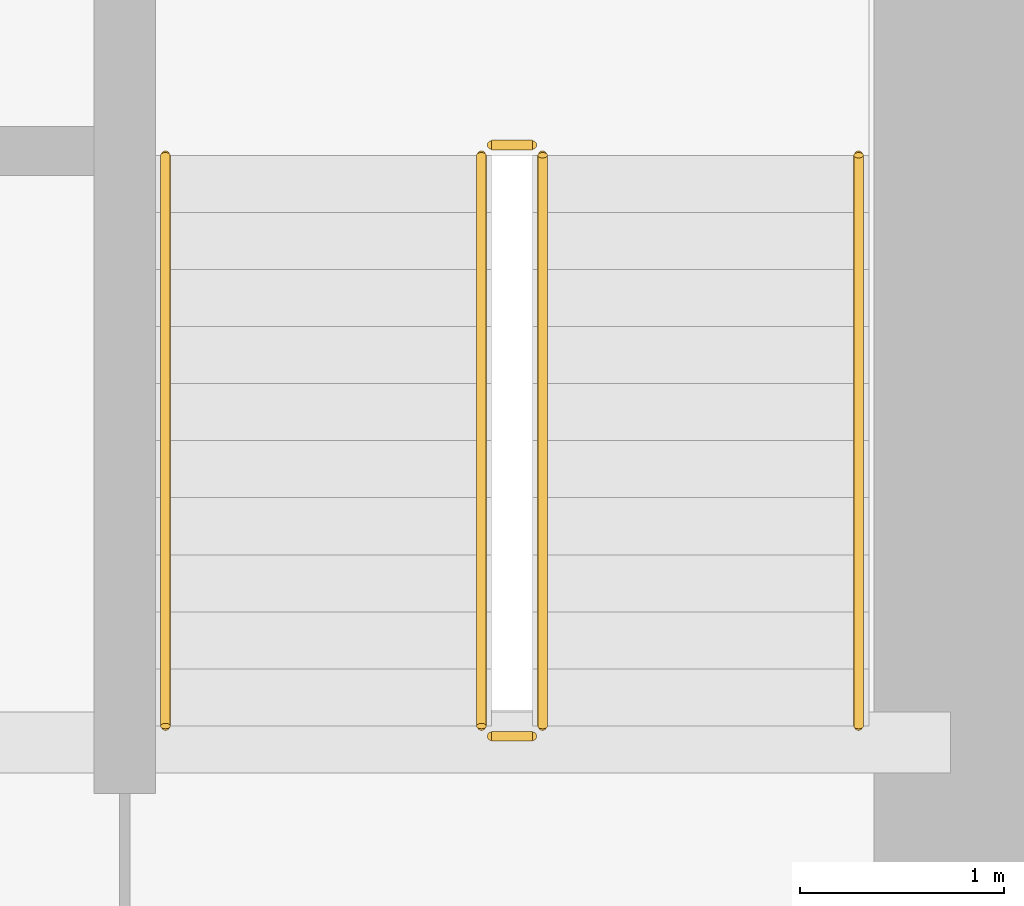
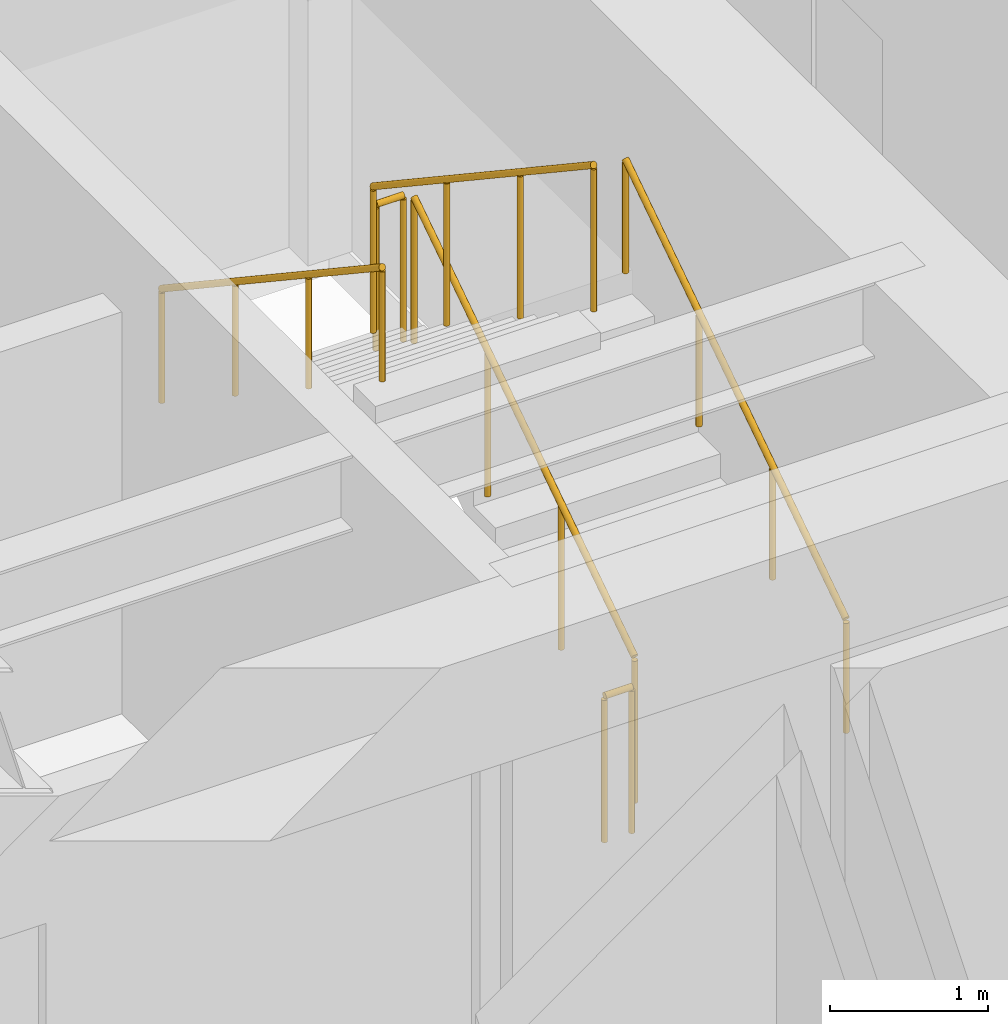
# One storey, part 35 of 35: 6 railings.
"""IFC4 building model written with IfcOpenShell, lengths in metres."""

import ifcopenshell
import ifcopenshell.guid

model = None  # the IFC model being written
_history = None  # IfcOwnerHistory: only IFC2X3 demands one
_inside = {}  # id of a spatial element -> (the spatial element, [elements in it])
_under = {}  # id of a project, library or spatial element -> (it, [spatial elements below it])
_declared = {}  # id of a project -> (the project, [libraries it declares])
_typed = {}  # id of a type object -> (the type object, [elements of that type])
_made_of = {}  # id of a material, layer set ... -> (it, [elements and type objects made of it])


def new_model(schema):
    """Start an empty IFC model of exactly this schema.

    Asked for "IFC4X3", IfcOpenShell would pick the latest addendum, in which some entities
    have other attributes; the version numbers below select the first issue.
    IFC2X3 requires an IfcOwnerHistory on every rooted entity: one is made here for all.
    """
    global model, _history
    if schema == "IFC4X3":
        model = ifcopenshell.file(schema_version=(4, 3, 0, 0))
    else:
        model = ifcopenshell.file(schema=schema)
    _inside.clear()
    _under.clear()
    _declared.clear()
    _typed.clear()
    _made_of.clear()
    _history = None
    if model.schema == "IFC2X3":
        org = make("IfcOrganization", Name="unknown")
        user = make(
            "IfcPersonAndOrganization",
            ThePerson=make("IfcPerson", FamilyName="unknown"),
            TheOrganization=org,
        )
        app = make(
            "IfcApplication",
            ApplicationDeveloper=org,
            Version="unknown",
            ApplicationFullName="unknown",
            ApplicationIdentifier="unknown",
        )
        _history = make(
            "IfcOwnerHistory",
            OwningUser=user,
            OwningApplication=app,
            ChangeAction="ADDED",
            CreationDate=0,
        )
    return model


def make(cls, **values):
    """One entity of the class cls with the attributes given. An attribute that is None is left unset."""
    return model.create_entity(
        cls, **{name: value for name, value in values.items() if value is not None}
    )


def rooted(cls, **values):
    """An entity with a GlobalId (a new one), such as an element, a storey or a relation."""
    return make(cls, GlobalId=ifcopenshell.guid.new(), OwnerHistory=_history, **values)


def si_unit(unit_type, name, prefix=None):
    """IfcSIUnit, for example si_unit("LENGTHUNIT", "METRE", prefix="MILLI")."""
    return make("IfcSIUnit", UnitType=unit_type, Prefix=prefix, Name=name)


def assignment(units):
    """IfcUnitAssignment: the units of a project."""
    return None if units is None else make("IfcUnitAssignment", Units=units)


def point(xyz):
    """IfcCartesianPoint."""
    return None if xyz is None else make("IfcCartesianPoint", Coordinates=xyz)


def direction(xyz):
    """IfcDirection."""
    return None if xyz is None else make("IfcDirection", DirectionRatios=xyz)


def frame(location, z_axis=None, x_axis=None):
    """IfcAxis2Placement3D, a coordinate frame: its origin and axes. An axis left out is left unset."""
    return make(
        "IfcAxis2Placement3D",
        Location=point(location),
        Axis=direction(z_axis),
        RefDirection=direction(x_axis),
    )


def frame_2d(location, x_axis=None):
    """IfcAxis2Placement2D, a coordinate frame in the plane: its origin and x axis."""
    return make(
        "IfcAxis2Placement2D", Location=point(location), RefDirection=direction(x_axis)
    )


def origin():
    """The frame at (0, 0, 0) with its axes left unset."""
    return frame((0.0, 0.0, 0.0))


def origin_2d():
    """The frame at (0, 0) in the plane with its x axis left unset."""
    return frame_2d((0.0, 0.0))


def place(relative_to, where):
    """IfcLocalPlacement: puts the frame where relative to a parent placement (None: the world)."""
    return make(
        "IfcLocalPlacement", PlacementRelTo=relative_to, RelativePlacement=where
    )


def context(
    kind, dimensions, precision=None, world=None, true_north=None, identifier=None
):
    """IfcGeometricRepresentationContext, for example the 3D "Model" context."""
    return make(
        "IfcGeometricRepresentationContext",
        ContextIdentifier=identifier,
        ContextType=kind,
        CoordinateSpaceDimension=dimensions,
        Precision=precision,
        WorldCoordinateSystem=world,
        TrueNorth=true_north,
    )


def subcontext(parent, identifier, kind, view, scale=None):
    """IfcGeometricRepresentationSubContext, for example "Body" below "Model"."""
    return make(
        "IfcGeometricRepresentationSubContext",
        ContextIdentifier=identifier,
        ContextType=kind,
        ParentContext=parent,
        TargetScale=scale,
        TargetView=view,
    )


def project(units=None, contexts=None):
    """IfcProject with its units and contexts."""
    return rooted(
        "IfcProject",
        Name="project",
        RepresentationContexts=contexts,
        UnitsInContext=assignment(units),
    )


def spatial(cls, under=None, at=None, **own):
    """A site, building, storey or space (cls), placed at a placement, below another one or the project."""
    s = rooted(cls, ObjectPlacement=at, **own)
    if under is not None:
        _under.setdefault(under.id(), (under, []))[1].append(s)
    return s


def profile(cls, at=None, kind="AREA", **sizes):
    """A parametric profile (cls). Its sizes go by their IFC names, for example OverallWidth=200.0."""
    return make(cls, ProfileType=kind, Position=at, **sizes)


def circle(**sizes):
    """IfcCircleProfileDef."""
    return profile("IfcCircleProfileDef", **sizes)


def extrude(swept, where, along, depth):
    """IfcExtrudedAreaSolid: the profile swept, set in the frame where, extruded along a direction by depth."""
    return make(
        "IfcExtrudedAreaSolid",
        SweptArea=swept,
        Position=where,
        ExtrudedDirection=direction(along),
        Depth=depth,
    )


def shape(context_of_items, identifier, shape_type, items):
    """IfcShapeRepresentation: the items that make up one representation, for example the "Body"."""
    return make(
        "IfcShapeRepresentation",
        ContextOfItems=context_of_items,
        RepresentationIdentifier=identifier,
        RepresentationType=shape_type,
        Items=items,
    )


def source(mapping_origin, context_of_items, identifier, shape_type, items):
    """IfcRepresentationMap: a shape defined once, which mapped items show again and again."""
    return make(
        "IfcRepresentationMap",
        MappingOrigin=mapping_origin,
        MappedRepresentation=shape(context_of_items, identifier, shape_type, items),
    )


def transform(
    local_origin,
    x_axis=None,
    y_axis=None,
    z_axis=None,
    scale=None,
    scale2=None,
    scale3=None,
    uniform=True,
):
    """IfcCartesianTransformationOperator3D, or its non-uniform kind. x_axis, y_axis, z_axis: its Axis1, 2, 3."""
    if uniform:
        return make(
            "IfcCartesianTransformationOperator3D",
            Axis1=direction(x_axis),
            Axis2=direction(y_axis),
            LocalOrigin=point(local_origin),
            Scale=scale,
            Axis3=direction(z_axis),
        )
    return make(
        "IfcCartesianTransformationOperator3DnonUniform",
        Axis1=direction(x_axis),
        Axis2=direction(y_axis),
        LocalOrigin=point(local_origin),
        Scale=scale,
        Axis3=direction(z_axis),
        Scale2=scale2,
        Scale3=scale3,
    )


def mapped(mapping_source, mapping_target):
    """IfcMappedItem: shows the shape of a source again, moved by a transform."""
    return make(
        "IfcMappedItem", MappingSource=mapping_source, MappingTarget=mapping_target
    )


def material(Name=None, Category=None):
    """IfcMaterial."""
    return make("IfcMaterial", Name=Name, Category=Category)


def made_of(thing, what):
    """Note that an element or type object is made of a material, layer set ...; save() writes the relation."""
    if what is not None:
        _made_of.setdefault(what.id(), (what, []))[1].append(thing)
    return thing


def type_object(cls, material=None, **own):
    """A type object (cls), such as IfcWallType, which elements share."""
    return made_of(rooted(cls, **own), material)


def type_shapes(of_type, sources):
    """Give a type object the sources (RepresentationMaps) that its elements show as mapped items."""
    of_type.RepresentationMaps = sources


def element(
    cls,
    number,
    at=None,
    inside=None,
    cuts=None,
    type_object=None,
    material=None,
    context=None,
    identifier="Body",
    shape_type=None,
    held_by="IfcProductDefinitionShape",
    body=None,
    shapes=None,
    **own,
):
    """One element of the class cls, such as IfcWall. Its Tag is "e" and its number.

    at: its placement. inside: the storey or other place that contains it. cuts: it is an
    opening in that element (IfcRelVoidsElement). A single representation is given by context,
    identifier, shape_type and body (its items); several are given by shapes. held_by: the class
    of the entity that holds the representations. save() writes the other relations.
    """
    e = rooted(cls, Tag="e%d" % number, ObjectPlacement=at, **own)
    if body is not None:
        shapes = [shape(context, identifier, shape_type, body)]
    if shapes is not None:
        e.Representation = make(held_by, Representations=shapes)
    if inside is not None:
        _inside.setdefault(inside.id(), (inside, []))[1].append(e)
    if cuts is not None:
        rooted(
            "IfcRelVoidsElement", RelatingBuildingElement=cuts, RelatedOpeningElement=e
        )
    if type_object is not None:
        _typed.setdefault(type_object.id(), (type_object, []))[1].append(e)
    return made_of(e, material)


def aggregate(whole, parts):
    """IfcRelAggregates: a whole, such as a stair, and the parts it consists of."""
    return rooted("IfcRelAggregates", RelatingObject=whole, RelatedObjects=parts)


def save(model, path):
    """Write the relations noted so far, then the file.

    IfcRelAggregates (storeys below a building ...), IfcRelContainedInSpatialStructure (elements
    in a storey), IfcRelDefinesByType, IfcRelAssociatesMaterial and IfcRelDeclares: one each for
    every whole, place, type object, material and project.
    """
    for whole, parts in _under.values():
        aggregate(whole, parts)
    for where, things in _inside.values():
        rooted(
            "IfcRelContainedInSpatialStructure",
            RelatedElements=things,
            RelatingStructure=where,
        )
    for kind, things in _typed.values():
        rooted("IfcRelDefinesByType", RelatedObjects=things, RelatingType=kind)
    for what, things in _made_of.values():
        rooted("IfcRelAssociatesMaterial", RelatedObjects=things, RelatingMaterial=what)
    for by, libraries in _declared.values():
        rooted("IfcRelDeclares", RelatingContext=by, RelatedDefinitions=libraries)
    model.write(path)


model = new_model("IFC4")

# Units and contexts
model_context = context("Model", 3, precision=1e-05, world=origin(), true_north=direction((0.0, 1.0)))
body_context = subcontext(model_context, "Body", "Model", "MODEL_VIEW")
ifc_project = project(units=[si_unit("LENGTHUNIT", "METRE"), si_unit("AREAUNIT", "SQUARE_METRE"), si_unit("VOLUMEUNIT", "CUBIC_METRE"), si_unit("PLANEANGLEUNIT", "RADIAN"), si_unit("MASSUNIT", "GRAM", prefix="KILO")], contexts=[model_context])

# Site, building, storey
site_placement = place(None, origin())
site = spatial("IfcSite", under=ifc_project, at=site_placement, CompositionType="ELEMENT")
building_placement = place(site_placement, origin())
building = spatial("IfcBuilding", under=site, at=building_placement, Name="Haelvirn Gate Laboratories", CompositionType="ELEMENT")
storey_placement = place(building_placement, frame((0.0, 0.0, 66.199951171875)))
storey = spatial("IfcBuildingStorey", under=building, at=storey_placement, Name="L16", CompositionType="ELEMENT", Elevation=66.199951171875)

# Railings
ifc_material_1 = material(Name="Galvanised steel SM355 & stainless top rail", Category="steel")
railing_type_1 = type_object("IfcRailingType", Name="RL-GUARD-1150", PredefinedType="GUARDRAIL", material=ifc_material_1)
shared_shape_1 = source(origin(), body_context, "Body", "SweptSolid", [
    extrude(circle(Radius=0.02392578125, at=origin_2d()), frame((0.0, 0.0, 1.1259765625), z_axis=(0.0, 0.832485552168, 0.554046753832), x_axis=(-1.0, 0.0, 0.0)), (0.0, 0.0, 1.0), 3.363525390625),
    extrude(circle(Radius=0.02099609375, at=origin_2d()), origin(), (0.0, 0.0, 1.0), 1.101806640625),
    extrude(circle(Radius=0.02099609375, at=origin_2d()), frame((0.0, 0.933349609375, 0.62109375)), (0.0, 0.0, 1.0), 1.101806640625),
    extrude(circle(Radius=0.02099609375, at=origin_2d()), frame((0.0, 1.86669921875, 1.242431640625)), (0.0, 0.0, 1.0), 1.101806640625),
    extrude(circle(Radius=0.02099609375, at=origin_2d()), frame((0.0, 2.800048828125, 1.863525390625)), (0.0, 0.0, 1.0), 1.101806640625),
])
railing_1_placement = place(storey_placement, frame((65.39990234375, 26.699951171875, 0.1865234375)))
element("IfcRailing", 1, at=railing_1_placement, inside=storey, type_object=railing_type_1, Name="L16 ST2 stair guard 1", PredefinedType="GUARDRAIL", context=body_context, shape_type="MappedRepresentation", body=[
    mapped(shared_shape_1, transform((0.0, 0.0, 0.0), scale=1.0)),
])
shared_shape_2 = source(origin(), body_context, "Body", "SweptSolid", [
    extrude(circle(Radius=0.02392578125, at=origin_2d()), frame((0.0, 0.0, 1.1259765625), z_axis=(0.0, -0.832452072856, 0.554097055034), x_axis=(1.0, 0.0, 0.0)), (0.0, 0.0, 1.0), 3.363525390625),
    extrude(circle(Radius=0.02099609375, at=origin_2d()), origin(), (0.0, 0.0, 1.0), 1.101806640625),
    extrude(circle(Radius=0.02099609375, at=origin_2d()), frame((0.0, -0.933349609375, 0.621337890625)), (0.0, 0.0, 1.0), 1.101806640625),
    extrude(circle(Radius=0.02099609375, at=origin_2d()), frame((0.0, -1.86669921875, 1.242431640625)), (0.0, 0.0, 1.0), 1.101806640625),
    extrude(circle(Radius=0.02099609375, at=origin_2d()), frame((0.0, -2.800048828125, 1.86376953125)), (0.0, 0.0, 1.0), 1.101806640625),
])
railing_2_placement = place(storey_placement, frame((65.10009765625, 29.5, 2.236328125)))
element("IfcRailing", 2, at=railing_2_placement, inside=storey, type_object=railing_type_1, Name="L16 ST2 stair guard 3", PredefinedType="GUARDRAIL", context=body_context, shape_type="MappedRepresentation", body=[
    mapped(shared_shape_2, transform((0.0, 0.0, 0.0), scale=1.0)),
])
ifc_material_2 = material(Name="Brushed stainless steel 316L", Category="steel")
railing_type_2 = type_object("IfcRailingType", Name="RL-HAND-920", PredefinedType="HANDRAIL", material=ifc_material_2)
shared_shape_3 = source(origin(), body_context, "Body", "SweptSolid", [
    extrude(circle(Radius=0.02392578125, at=origin_2d()), frame((0.0, 0.0, 0.8759765625), z_axis=(0.0, 0.832485552168, 0.554046753832), x_axis=(-1.0, 0.0, 0.0)), (0.0, 0.0, 1.0), 3.363525390625),
    extrude(circle(Radius=0.02099609375, at=origin_2d()), origin(), (0.0, 0.0, 1.0), 0.851806640625),
    extrude(circle(Radius=0.02099609375, at=origin_2d()), frame((0.0, 0.933349609375, 0.62109375)), (0.0, 0.0, 1.0), 0.851806640625),
    extrude(circle(Radius=0.02099609375, at=origin_2d()), frame((0.0, 1.86669921875, 1.242431640625)), (0.0, 0.0, 1.0), 0.851806640625),
    extrude(circle(Radius=0.02099609375, at=origin_2d()), frame((0.0, 2.800048828125, 1.863525390625)), (0.0, 0.0, 1.0), 0.851806640625),
])
railing_3_placement = place(storey_placement, frame((66.949951171875, 26.699951171875, 0.1865234375)))
element("IfcRailing", 3, at=railing_3_placement, inside=storey, type_object=railing_type_2, Name="L16 ST2 stair handrail 1", PredefinedType="HANDRAIL", context=body_context, shape_type="MappedRepresentation", body=[
    mapped(shared_shape_3, transform((0.0, 0.0, 0.0), scale=1.0)),
])
shared_shape_4 = source(origin(), body_context, "Body", "SweptSolid", [
    extrude(circle(Radius=0.02392578125, at=origin_2d()), frame((0.0, 0.0, 0.8759765625), z_axis=(0.0, -0.832452072856, 0.554097055034), x_axis=(1.0, 0.0, 0.0)), (0.0, 0.0, 1.0), 3.363525390625),
    extrude(circle(Radius=0.02099609375, at=origin_2d()), origin(), (0.0, 0.0, 1.0), 0.851806640625),
    extrude(circle(Radius=0.02099609375, at=origin_2d()), frame((0.0, -0.933349609375, 0.621337890625)), (0.0, 0.0, 1.0), 0.851806640625),
    extrude(circle(Radius=0.02099609375, at=origin_2d()), frame((0.0, -1.86669921875, 1.242431640625)), (0.0, 0.0, 1.0), 0.851806640625),
    extrude(circle(Radius=0.02099609375, at=origin_2d()), frame((0.0, -2.800048828125, 1.86376953125)), (0.0, 0.0, 1.0), 0.851806640625),
])
type_shapes(railing_type_2, [shared_shape_3, shared_shape_4])
railing_4_placement = place(storey_placement, frame((63.550048828125, 29.5, 2.236328125)))
element("IfcRailing", 4, at=railing_4_placement, inside=storey, type_object=railing_type_2, Name="L16 ST2 stair handrail 2", PredefinedType="HANDRAIL", context=body_context, shape_type="MappedRepresentation", body=[
    mapped(shared_shape_4, transform((0.0, 0.0, 0.0), scale=1.0)),
])
shared_shape_5 = source(origin(), body_context, "Body", "SweptSolid", [
    extrude(circle(Radius=0.02392578125, at=origin_2d()), frame((0.0, 0.0, 1.1259765625), z_axis=(-1.0, 0.0, 0.0), x_axis=(0.0, -1.0, 0.0)), (0.0, 0.0, 1.0), 0.2001953125),
    extrude(circle(Radius=0.02099609375, at=origin_2d()), origin(), (0.0, 0.0, 1.0), 1.101806640625),
    extrude(circle(Radius=0.02099609375, at=origin_2d()), frame((-0.2001953125, 0.0, 0.0)), (0.0, 0.0, 1.0), 1.101806640625),
])
type_shapes(railing_type_1, [shared_shape_1, shared_shape_2, shared_shape_5])
for number, where, name in (
    (5, (65.35009765625, 29.550048828125, 2.050048828125), "L16 ST2 stair guard 2"),
    (6, (65.35009765625, 26.64990234375, 0.0), "L16 ST2 stair guard 4"),
):
    element("IfcRailing", number, at=place(storey_placement, frame(where)), inside=storey, type_object=railing_type_1, Name=name, PredefinedType="GUARDRAIL", context=body_context, shape_type="MappedRepresentation", body=[
        mapped(shared_shape_5, transform((0.0, 0.0, 0.0), scale=1.0)),
    ])

save(model, "model.ifc")
